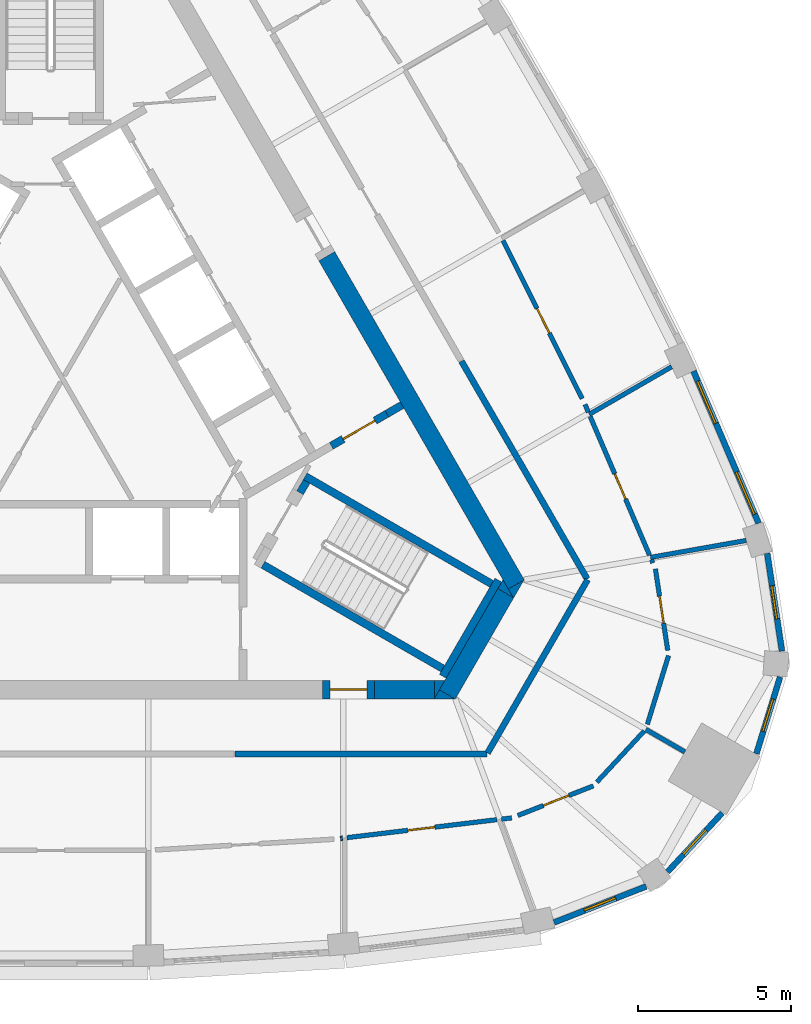
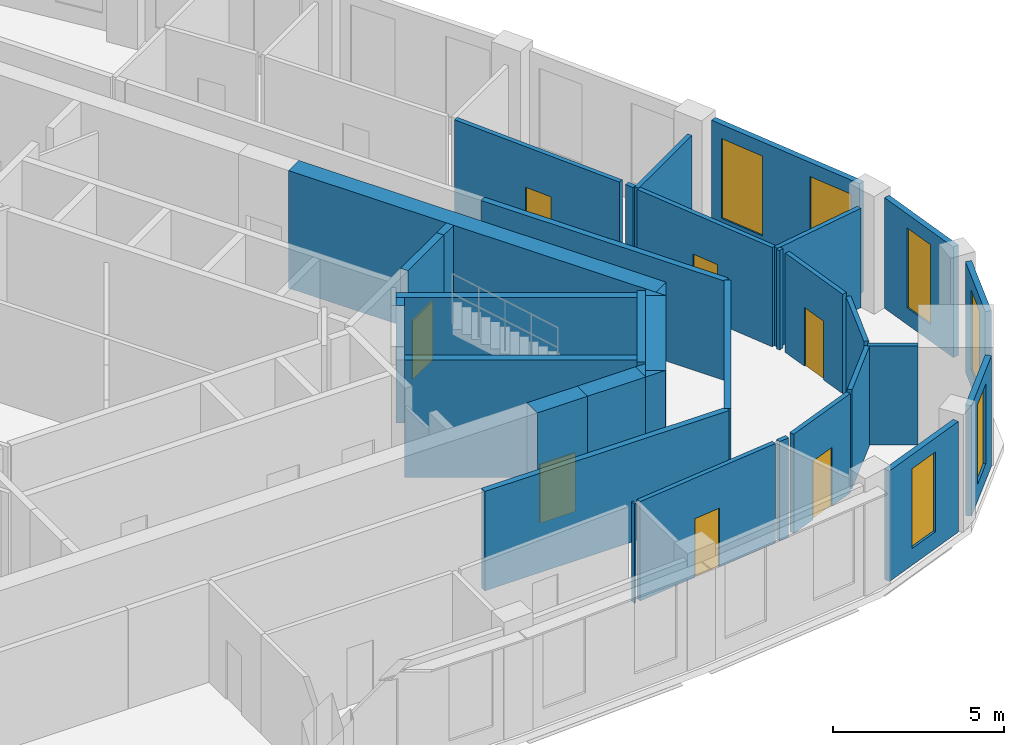
# One storey, part 7 of 10: 36 walls, 7 doors, 6 windows, 13 openings.
"""IFC4 building model written with IfcOpenShell, lengths in metres."""

from ifc_helpers import new_model, si_unit, direction, frame, frame_2d, origin, place, context, subcontext, project, spatial, polyline, rectangle, outline, extrude, material, layer, layer_set, type_object, element, fill, save


model = new_model("IFC4")

# Units and contexts
model_context = context("Model", 3, precision=1e-05, world=origin(), true_north=direction((0.0, 1.0)))
body_context = subcontext(model_context, "Body", "Model", "MODEL_VIEW")
ifc_project = project(units=[si_unit("LENGTHUNIT", "METRE"), si_unit("AREAUNIT", "SQUARE_METRE"), si_unit("VOLUMEUNIT", "CUBIC_METRE"), si_unit("PLANEANGLEUNIT", "RADIAN"), si_unit("MASSUNIT", "GRAM", prefix="KILO")], contexts=[model_context])

# Site, building, storey
site_placement = place(None, origin())
site = spatial("IfcSite", under=ifc_project, at=site_placement, CompositionType="ELEMENT")
building_placement = place(site_placement, origin())
building = spatial("IfcBuilding", under=site, at=building_placement, Name="Mestral Congress Tower", CompositionType="ELEMENT")
storey_placement = place(building_placement, frame((0.0, 0.0, 271.199951171875)))
storey = spatial("IfcBuildingStorey", under=building, at=storey_placement, Name="L63", CompositionType="ELEMENT", Elevation=271.199951171875)

# Walls
ifc_material_1 = material(Name="Concrete C60/75", Category="concrete")
ifc_layer_1 = layer(ifc_material_1, 0.60009765625)
ifc_layer_set_1 = layer_set([ifc_layer_1], Name="Concrete C60/75")
wall_type_1 = type_object("IfcWallType", Name="Core wall RC 600", PredefinedType="SOLIDWALL", material=ifc_layer_set_1)
wall_1_placement = place(storey_placement, frame((9.0419921875, 4.23876953125, 0.0), z_axis=(0.0, 0.0, 1.0), x_axis=(0.500005785455, -0.866022063525, 0.0)))
element("IfcWall", 1, at=wall_1_placement, inside=storey, type_object=wall_type_1, Name="L63 core wall", PredefinedType="SOLIDWALL", context=body_context, shape_type="SweptSolid", body=[
    extrude(rectangle(XDim=12.406494140625, YDim=0.60009765625, at=frame_2d((6.203125, 0.0))), origin(), (0.0, 0.0, 1.0), 4.199951171875),
])
placement = place(storey_placement, origin())
element("IfcWall", 2, at=placement, inside=storey, type_object=wall_type_1, Name="L63 core wall", PredefinedType="SOLIDWALL", context=body_context, shape_type="SweptSolid", body=[
    extrude(outline(polyline([(15.155517578125, -6.949951171875), (14.986572265625, -6.6572265625), (15.493408203125, -6.364501953125), (15.155517578125, -6.949951171875)])), origin(), (0.0, 0.0, 1.0), 4.199951171875),
])
wall_3_placement = place(storey_placement, frame((12.9873046875, -10.105712890625, 0.0), z_axis=(0.0, 0.0, 1.0), x_axis=(0.499950938802, 0.866053727428, 0.0)))
element("IfcWall", 3, at=wall_3_placement, inside=storey, type_object=wall_type_1, Name="L63 core wall", PredefinedType="SOLIDWALL", context=body_context, shape_type="SweptSolid", body=[
    extrude(rectangle(XDim=3.8232421875, YDim=0.60009765625, at=frame_2d((1.91162109375, 0.0))), origin(), (0.0, 0.0, 1.0), 4.199951171875),
])
element("IfcWall", 4, at=placement, inside=storey, type_object=wall_type_1, Name="L63 core wall", PredefinedType="SOLIDWALL", context=body_context, shape_type="SweptSolid", body=[
    extrude(outline(polyline([(12.726318359375, -9.957275390625), (13.2333984375, -10.25), (12.557373046875, -10.25), (12.726318359375, -9.957275390625)])), origin(), (0.0, 0.0, 1.0), 4.199951171875),
])
element("IfcWall", 5, at=placement, inside=storey, type_object=wall_type_1, Name="L63 core wall", PredefinedType="SOLIDWALL", context=body_context, shape_type="SweptSolid", body=[
    extrude(outline(polyline([(14.80908203125, -6.35009765625), (15.147216796875, -6.935791015625), (14.639892578125, -6.642822265625), (14.80908203125, -6.35009765625)])), origin(), (0.0, 0.0, 1.0), 4.199951171875),
])
wall_6_placement = place(storey_placement, frame((10.6044921875, -9.949951171875, 0.0), z_axis=(0.0, 0.0, 1.0), x_axis=(1.0, 0.0, 0.0)))
element("IfcWall", 6, at=wall_6_placement, inside=storey, type_object=wall_type_1, Name="L63 core wall", PredefinedType="SOLIDWALL", context=body_context, shape_type="SweptSolid", body=[
    extrude(rectangle(XDim=1.959228515625, YDim=0.60009765625, at=frame_2d((0.9794921875, 0.0))), origin(), (0.0, 0.0, 1.0), 4.199951171875),
])
element("IfcWall", 7, at=placement, inside=storey, type_object=wall_type_1, Name="L63 core wall", PredefinedType="SOLIDWALL", context=body_context, shape_type="SweptSolid", body=[
    extrude(outline(polyline([(12.90380859375, -9.64990234375), (12.56591796875, -10.235595703125), (12.56591796875, -9.64990234375), (12.90380859375, -9.64990234375)])), origin(), (0.0, 0.0, 1.0), 4.199951171875),
])

# Wall, opening, door
wall_8_placement = place(storey_placement, frame((10.6044921875, -9.949951171875, 0.0), z_axis=(0.0, 0.0, 1.0), x_axis=(-1.0, 0.0, 0.0)))
wall_8 = element("IfcWall", 8, at=wall_8_placement, inside=storey, type_object=wall_type_1, Name="L63 door wall", PredefinedType="SOLIDWALL", context=body_context, shape_type="SweptSolid", body=[
    extrude(rectangle(XDim=1.699951171875, YDim=0.60009765625, at=frame_2d((0.85009765625, 0.0))), origin(), (0.0, 0.0, 1.0), 4.199951171875),
])
opening_1_placement = place(wall_8_placement, frame((0.25, 0.0, 0.0)))
opening_1 = element("IfcOpeningElement", 9, at=opening_1_placement, cuts=wall_8, Name="Opening XD1", PredefinedType="OPENING", context=body_context, shape_type="SweptSolid", body=[
    extrude(rectangle(XDim=1.199951171875, YDim=2.10009765625, at=frame_2d((0.60009765625, 1.050048828125))), frame((0.0, 0.31005859375, 0.0), z_axis=(0.0, -1.0, 0.0), x_axis=(1.0, 0.0, 0.0)), (0.0, 0.0, 1.0), 0.6201171875),
])
ifc_material_2 = material(Name="Fire-rated steel door set", Category="steel")
door_type_1 = type_object("IfcDoorType", Name="Core door XD 1200x2100", OperationType="SINGLE_SWING_LEFT", PredefinedType="DOOR", material=ifc_material_2)
door_1_placement = place(opening_1_placement, origin())
door_1 = element("IfcDoor", 10, at=door_1_placement, inside=storey, type_object=door_type_1, Name="Door XD1", OperationType="SINGLE_SWING_LEFT", OverallHeight=2.10009765625, OverallWidth=1.199951171875, PredefinedType="DOOR", context=body_context, shape_type="SweptSolid", body=[
    extrude(rectangle(XDim=1.199951171875, YDim=2.10009765625, at=frame_2d((0.60009765625, 1.050048828125))), frame((0.0, 0.02490234375, 0.0), z_axis=(0.0, -1.0, 0.0), x_axis=(1.0, 0.0, 0.0)), (0.0, 0.0, 1.0), 0.050048828125),
])
fill(opening_1, door_1)

# Wall, opening, window
ifc_material_3 = material(Name="Precast concrete C40/50 with limestone facing", Category="masonry")
ifc_layer_2 = layer(ifc_material_3, 0.18994140625)
ifc_layer_set_2 = layer_set([ifc_layer_2], Name="Precast concrete C40/50 with limestone facing")
wall_type_2 = type_object("IfcWallType", Name="Facade stone wall 190", PredefinedType="SOLIDWALL", material=ifc_layer_set_2)
wall_9_placement = place(storey_placement, frame((16.48291015625, -17.572998046875, 0.0), z_axis=(0.0, 0.0, 1.0), x_axis=(0.93100888477, 0.364996515709, 0.0)))
wall_9 = element("IfcWall", 11, at=wall_9_placement, inside=storey, type_object=wall_type_2, Name="Facade wall K0-0", PredefinedType="SOLIDWALL", context=body_context, shape_type="SweptSolid", body=[
    extrude(rectangle(XDim=3.23681640625, YDim=0.18994140625, at=frame_2d((1.618408203125, 0.0))), origin(), (0.0, 0.0, 1.0), 3.949951171875),
])
opening_2_placement = place(wall_9_placement, frame((1.068359375, 0.0, 0.60009765625)))
opening_2 = element("IfcOpeningElement", 12, at=opening_2_placement, cuts=wall_9, Name="Opening W7", PredefinedType="OPENING", context=body_context, shape_type="SweptSolid", body=[
    extrude(rectangle(XDim=1.10009765625, YDim=2.85009765625, at=frame_2d((0.550048828125, 1.425048828125))), frame((0.0, 0.10498046875, 0.0), z_axis=(0.0, -1.0, 0.0), x_axis=(1.0, 0.0, 0.0)), (0.0, 0.0, 1.0), 0.2099609375),
])
ifc_material_4 = material(Name="Clear low-emissivity double glazing", Category="glass")
window_type_1 = type_object("IfcWindowType", Name="Facade punched window 1100 x 2850 sill 600", PartitioningType="SINGLE_PANEL", PredefinedType="WINDOW", material=ifc_material_4)
window_1_placement = place(opening_2_placement, origin())
window_1 = element("IfcWindow", 13, at=window_1_placement, inside=storey, type_object=window_type_1, Name="Window K0-0", OverallHeight=2.85009765625, OverallWidth=1.10009765625, PartitioningType="SINGLE_PANEL", PredefinedType="WINDOW", context=body_context, shape_type="SweptSolid", body=[
    extrude(rectangle(XDim=1.10009765625, YDim=2.85009765625, at=frame_2d((0.550048828125, 1.425048828125))), frame((0.0, 0.044921875, 0.0), z_axis=(0.0, -1.0, 0.0), x_axis=(1.0, 0.0, 0.0)), (0.0, 0.0, 1.0), 0.06005859375),
])
fill(opening_2, window_1)

wall_10_placement = place(storey_placement, frame((20.197998046875, -15.91357421875, 0.0), z_axis=(0.0, 0.0, 1.0), x_axis=(0.680219354823, 0.733008614768, 0.0)))
wall_10 = element("IfcWall", 14, at=wall_10_placement, inside=storey, type_object=wall_type_2, Name="Facade wall K0-1", PredefinedType="SOLIDWALL", context=body_context, shape_type="SweptSolid", body=[
    extrude(rectangle(XDim=2.626953125, YDim=0.18994140625, at=frame_2d((1.3134765625, 0.0))), origin(), (0.0, 0.0, 1.0), 3.949951171875),
])
opening_3_placement = place(wall_10_placement, frame((0.763427734375, 0.0, 0.60009765625)))
opening_3 = element("IfcOpeningElement", 15, at=opening_3_placement, cuts=wall_10, Name="Opening W7", PredefinedType="OPENING", context=body_context, shape_type="SweptSolid", body=[
    extrude(rectangle(XDim=1.10009765625, YDim=2.85009765625, at=frame_2d((0.550048828125, 1.425048828125))), frame((0.0, 0.10498046875, 0.0), z_axis=(0.0, -1.0, 0.0), x_axis=(1.0, 0.0, 0.0)), (0.0, 0.0, 1.0), 0.2099609375),
])
window_2_placement = place(opening_3_placement, origin())
window_2 = element("IfcWindow", 16, at=window_2_placement, inside=storey, type_object=window_type_1, Name="Window K0-1", OverallHeight=2.85009765625, OverallWidth=1.10009765625, PartitioningType="SINGLE_PANEL", PredefinedType="WINDOW", context=body_context, shape_type="SweptSolid", body=[
    extrude(rectangle(XDim=1.10009765625, YDim=2.85009765625, at=frame_2d((0.550048828125, 1.425048828125))), frame((0.0, 0.044921875, 0.0), z_axis=(0.0, -1.0, 0.0), x_axis=(1.0, 0.0, 0.0)), (0.0, 0.0, 1.0), 0.06005859375),
])
fill(opening_3, window_2)

wall_11_placement = place(storey_placement, frame((23.1064453125, -12.04541015625, 0.0), z_axis=(0.0, 0.0, 1.0), x_axis=(0.294706210429, 0.9555879078, 0.0)))
wall_11 = element("IfcWall", 17, at=wall_11_placement, inside=storey, type_object=wall_type_2, Name="Facade wall K0-2", PredefinedType="SOLIDWALL", context=body_context, shape_type="SweptSolid", body=[
    extrude(rectangle(XDim=2.626953125, YDim=0.18994140625, at=frame_2d((1.3134765625, 0.0))), origin(), (0.0, 0.0, 1.0), 3.949951171875),
])
opening_4_placement = place(wall_11_placement, frame((0.763427734375, 0.0, 0.60009765625)))
opening_4 = element("IfcOpeningElement", 18, at=opening_4_placement, cuts=wall_11, Name="Opening W7", PredefinedType="OPENING", context=body_context, shape_type="SweptSolid", body=[
    extrude(rectangle(XDim=1.10009765625, YDim=2.85009765625, at=frame_2d((0.550048828125, 1.425048828125))), frame((0.0, 0.10498046875, 0.0), z_axis=(0.0, -1.0, 0.0), x_axis=(1.0, 0.0, 0.0)), (0.0, 0.0, 1.0), 0.2099609375),
])
window_3_placement = place(opening_4_placement, origin())
window_3 = element("IfcWindow", 19, at=window_3_placement, inside=storey, type_object=window_type_1, Name="Window K0-2", OverallHeight=2.85009765625, OverallWidth=1.10009765625, PartitioningType="SINGLE_PANEL", PredefinedType="WINDOW", context=body_context, shape_type="SweptSolid", body=[
    extrude(rectangle(XDim=1.10009765625, YDim=2.85009765625, at=frame_2d((0.550048828125, 1.425048828125))), frame((0.0, 0.044921875, 0.0), z_axis=(0.0, -1.0, 0.0), x_axis=(1.0, 0.0, 0.0)), (0.0, 0.0, 1.0), 0.06005859375),
])
fill(opening_4, window_3)

wall_12_placement = place(storey_placement, frame((23.94384765625, -8.6884765625, 0.0), z_axis=(0.0, 0.0, 1.0), x_axis=(-0.149421055602, 0.988773658702, 0.0)))
wall_12 = element("IfcWall", 20, at=wall_12_placement, inside=storey, type_object=wall_type_2, Name="Facade wall K0-3", PredefinedType="SOLIDWALL", context=body_context, shape_type="SweptSolid", body=[
    extrude(rectangle(XDim=3.23681640625, YDim=0.18994140625, at=frame_2d((1.618408203125, 0.0))), origin(), (0.0, 0.0, 1.0), 3.949951171875),
])
opening_5_placement = place(wall_12_placement, frame((1.068359375, 0.0, 0.60009765625)))
opening_5 = element("IfcOpeningElement", 21, at=opening_5_placement, cuts=wall_12, Name="Opening W7", PredefinedType="OPENING", context=body_context, shape_type="SweptSolid", body=[
    extrude(rectangle(XDim=1.10009765625, YDim=2.85009765625, at=frame_2d((0.550048828125, 1.425048828125))), frame((0.0, 0.10498046875, 0.0), z_axis=(0.0, -1.0, 0.0), x_axis=(1.0, 0.0, 0.0)), (0.0, 0.0, 1.0), 0.2099609375),
])
window_4_placement = place(opening_5_placement, origin())
window_4 = element("IfcWindow", 22, at=window_4_placement, inside=storey, type_object=window_type_1, Name="Window K0-3", OverallHeight=2.85009765625, OverallWidth=1.10009765625, PartitioningType="SINGLE_PANEL", PredefinedType="WINDOW", context=body_context, shape_type="SweptSolid", body=[
    extrude(rectangle(XDim=1.10009765625, YDim=2.85009765625, at=frame_2d((0.550048828125, 1.425048828125))), frame((0.0, 0.044921875, 0.0), z_axis=(0.0, -1.0, 0.0), x_axis=(1.0, 0.0, 0.0)), (0.0, 0.0, 1.0), 0.06005859375),
])
fill(opening_5, window_4)

# Wall, openings, windows
wall_13_placement = place(storey_placement, frame((23.1787109375, -4.50048828125, 0.0), z_axis=(0.0, 0.0, 1.0), x_axis=(-0.393347848476, 0.919389726992, 0.0)))
wall_13 = element("IfcWall", 23, at=wall_13_placement, inside=storey, type_object=wall_type_2, Name="Facade wall F1-00", PredefinedType="SOLIDWALL", context=body_context, shape_type="SweptSolid", body=[
    extrude(rectangle(XDim=5.414794921875, YDim=0.18994140625, at=frame_2d((2.70751953125, 0.0))), origin(), (0.0, 0.0, 1.0), 3.949951171875),
])
opening_6_placement = place(wall_13_placement, frame((0.322509765625, 0.0, 0.60009765625)))
opening_6 = element("IfcOpeningElement", 24, at=opening_6_placement, cuts=wall_13, Name="Opening W6", PredefinedType="OPENING", context=body_context, shape_type="SweptSolid", body=[
    extrude(rectangle(XDim=1.5, YDim=2.85009765625, at=frame_2d((0.75, 1.425048828125))), frame((0.0, 0.10498046875, 0.0), z_axis=(0.0, -1.0, 0.0), x_axis=(1.0, 0.0, 0.0)), (0.0, 0.0, 1.0), 0.2099609375),
])
opening_7_placement = place(wall_13_placement, frame((3.5576171875, 0.0, 0.60009765625)))
opening_7 = element("IfcOpeningElement", 25, at=opening_7_placement, cuts=wall_13, Name="Opening W6", PredefinedType="OPENING", context=body_context, shape_type="SweptSolid", body=[
    extrude(rectangle(XDim=1.5, YDim=2.85009765625, at=frame_2d((0.75, 1.425048828125))), frame((0.0, 0.10498046875, 0.0), z_axis=(0.0, -1.0, 0.0), x_axis=(1.0, 0.0, 0.0)), (0.0, 0.0, 1.0), 0.2099609375),
])
window_type_2 = type_object("IfcWindowType", Name="Facade punched window 1500 x 2850 sill 600", PartitioningType="SINGLE_PANEL", PredefinedType="WINDOW", material=ifc_material_4)
window_5_placement = place(opening_6_placement, origin())
window_5 = element("IfcWindow", 26, at=window_5_placement, inside=storey, type_object=window_type_2, Name="Window F1-00a", OverallHeight=2.85009765625, OverallWidth=1.5, PartitioningType="SINGLE_PANEL", PredefinedType="WINDOW", context=body_context, shape_type="SweptSolid", body=[
    extrude(rectangle(XDim=1.5, YDim=2.85009765625, at=frame_2d((0.75, 1.425048828125))), frame((0.0, 0.044921875, 0.0), z_axis=(0.0, -1.0, 0.0), x_axis=(1.0, 0.0, 0.0)), (0.0, 0.0, 1.0), 0.06005859375),
])
fill(opening_6, window_5)
window_6_placement = place(opening_7_placement, origin())
window_6 = element("IfcWindow", 27, at=window_6_placement, inside=storey, type_object=window_type_2, Name="Window F1-00b", OverallHeight=2.85009765625, OverallWidth=1.5, PartitioningType="SINGLE_PANEL", PredefinedType="WINDOW", context=body_context, shape_type="SweptSolid", body=[
    extrude(rectangle(XDim=1.5, YDim=2.85009765625, at=frame_2d((0.75, 1.425048828125))), frame((0.0, 0.044921875, 0.0), z_axis=(0.0, -1.0, 0.0), x_axis=(1.0, 0.0, 0.0)), (0.0, 0.0, 1.0), 0.06005859375),
])
fill(opening_7, window_6)

# Wall
ifc_material_5 = material(Name="Plasterboard partition on steel studs", Category="steel")
ifc_layer_3 = layer(ifc_material_5, 0.14990234375)
ifc_layer_set_3 = layer_set([ifc_layer_3], Name="Plasterboard partition on steel studs")
wall_type_3 = type_object("IfcWallType", Name="Office partition 150", PredefinedType="PARTITIONING", material=ifc_layer_set_3)
wall_14_placement = place(storey_placement, frame((9.492431640625, -14.8203125, 0.0), z_axis=(0.0, 0.0, 1.0), x_axis=(0.993123019804, 0.117075477944, 0.0)))
element("IfcWall", 28, at=wall_14_placement, inside=storey, type_object=wall_type_3, Name="Partition", PredefinedType="PARTITIONING", context=body_context, shape_type="SweptSolid", body=[
    extrude(rectangle(XDim=0.060546875, YDim=0.14990234375, at=frame_2d((0.0302734375, 0.0))), origin(), (0.0, 0.0, 1.0), 3.550048828125),
])

# Wall, opening, door
wall_15_placement = place(storey_placement, frame((14.609619140625, -14.206787109375, 0.0), z_axis=(0.0, 0.0, 1.0), x_axis=(-0.992888520801, -0.119047827618, 0.0)))
wall_15 = element("IfcWall", 29, at=wall_15_placement, inside=storey, type_object=wall_type_3, Name="Partition", PredefinedType="PARTITIONING", context=body_context, shape_type="SweptSolid", body=[
    extrude(rectangle(XDim=4.9423828125, YDim=0.14990234375, at=frame_2d((2.47119140625, 0.0))), origin(), (0.0, 0.0, 1.0), 3.550048828125),
])
opening_8_placement = place(wall_15_placement, frame((2.042236328125, 0.0, 0.0)))
opening_8 = element("IfcOpeningElement", 30, at=opening_8_placement, cuts=wall_15, Name="Opening O11-004", PredefinedType="OPENING", context=body_context, shape_type="SweptSolid", body=[
    extrude(rectangle(XDim=0.89990234375, YDim=2.10009765625, at=frame_2d((0.449951171875, 1.050048828125))), frame((0.0, 0.0849609375, 0.0), z_axis=(0.0, -1.0, 0.0), x_axis=(1.0, 0.0, 0.0)), (0.0, 0.0, 1.0), 0.169921875),
])
ifc_material_6 = material(Name="Timber door set", Category="wood")
door_type_2 = type_object("IfcDoorType", Name="Office door 900x2100", OperationType="SINGLE_SWING_LEFT", PredefinedType="DOOR", material=ifc_material_6)
door_2_placement = place(opening_8_placement, origin())
door_2 = element("IfcDoor", 31, at=door_2_placement, inside=storey, type_object=door_type_2, Name="Door O11-004", OperationType="SINGLE_SWING_RIGHT", OverallHeight=2.10009765625, OverallWidth=0.89990234375, PredefinedType="DOOR", context=body_context, shape_type="SweptSolid", body=[
    extrude(rectangle(XDim=0.89990234375, YDim=2.10009765625, at=frame_2d((0.449951171875, 1.050048828125))), frame((0.0, 0.02490234375, 0.0), z_axis=(0.0, -1.0, 0.0), x_axis=(1.0, 0.0, 0.0)), (0.0, 0.0, 1.0), 0.050048828125),
])
fill(opening_8, door_2)

# Walls
wall_16_placement = place(storey_placement, frame((19.485107421875, -11.249755859375, 0.0), z_axis=(0.0, 0.0, 1.0), x_axis=(0.866039857565, -0.499974964482, 0.0)))
element("IfcWall", 32, at=wall_16_placement, inside=storey, type_object=wall_type_3, Name="Partition", PredefinedType="PARTITIONING", context=body_context, shape_type="SweptSolid", body=[
    extrude(rectangle(XDim=1.478515625, YDim=0.14990234375, at=frame_2d((0.7392578125, 0.0))), origin(), (0.0, 0.0, 1.0), 3.550048828125),
])
wall_17_placement = place(storey_placement, frame((14.762451171875, -14.1884765625, 0.0), z_axis=(0.0, 0.0, 1.0), x_axis=(0.992894100983, 0.11900127828, 0.0)))
element("IfcWall", 33, at=wall_17_placement, inside=storey, type_object=wall_type_3, Name="Partition", PredefinedType="PARTITIONING", context=body_context, shape_type="SweptSolid", body=[
    extrude(rectangle(XDim=0.33447265625, YDim=0.14990234375, at=frame_2d((0.167236328125, 0.0))), origin(), (0.0, 0.0, 1.0), 3.550048828125),
])

# Wall, opening, door
wall_18_placement = place(storey_placement, frame((17.767333984375, -13.1005859375, 0.0), z_axis=(0.0, 0.0, 1.0), x_axis=(-0.930971361221, -0.365092213812, 0.0)))
wall_18 = element("IfcWall", 34, at=wall_18_placement, inside=storey, type_object=wall_type_3, Name="Partition", PredefinedType="PARTITIONING", context=body_context, shape_type="SweptSolid", body=[
    extrude(rectangle(XDim=2.65673828125, YDim=0.14990234375, at=frame_2d((1.328369140625, 0.0))), origin(), (0.0, 0.0, 1.0), 3.550048828125),
])
opening_9_placement = place(wall_18_placement, frame((0.856689453125, 0.0, 0.0)))
opening_9 = element("IfcOpeningElement", 35, at=opening_9_placement, cuts=wall_18, Name="Opening O11-005", PredefinedType="OPENING", context=body_context, shape_type="SweptSolid", body=[
    extrude(rectangle(XDim=0.89990234375, YDim=2.10009765625, at=frame_2d((0.449951171875, 1.050048828125))), frame((0.0, 0.0849609375, 0.0), z_axis=(0.0, -1.0, 0.0), x_axis=(1.0, 0.0, 0.0)), (0.0, 0.0, 1.0), 0.169921875),
])
door_3_placement = place(opening_9_placement, origin())
door_3 = element("IfcDoor", 36, at=door_3_placement, inside=storey, type_object=door_type_2, Name="Door O11-005", OperationType="SINGLE_SWING_LEFT", OverallHeight=2.10009765625, OverallWidth=0.89990234375, PredefinedType="DOOR", context=body_context, shape_type="SweptSolid", body=[
    extrude(rectangle(XDim=0.89990234375, YDim=2.10009765625, at=frame_2d((0.449951171875, 1.050048828125))), frame((0.0, 0.02490234375, 0.0), z_axis=(0.0, -1.0, 0.0), x_axis=(1.0, 0.0, 0.0)), (0.0, 0.0, 1.0), 0.050048828125),
])
fill(opening_9, door_3)

# Walls
wall_19_placement = place(storey_placement, frame((17.885009765625, -12.97412109375, 0.0), z_axis=(0.0, 0.0, 1.0), x_axis=(0.680220611996, 0.733007448132, 0.0)))
element("IfcWall", 37, at=wall_19_placement, inside=storey, type_object=wall_type_3, Name="Partition", PredefinedType="PARTITIONING", context=body_context, shape_type="SweptSolid", body=[
    extrude(rectangle(XDim=2.275634765625, YDim=0.14990234375, at=frame_2d((1.1376953125, 0.0))), origin(), (0.0, 0.0, 1.0), 3.550048828125),
])
wall_20_placement = place(storey_placement, frame((19.638671875, -5.61962890625, 0.0), z_axis=(0.0, 0.0, 1.0), x_axis=(0.984765028635, 0.173890305586, 0.0)))
element("IfcWall", 38, at=wall_20_placement, inside=storey, type_object=wall_type_3, Name="Partition", PredefinedType="PARTITIONING", context=body_context, shape_type="SweptSolid", body=[
    extrude(rectangle(XDim=3.184326171875, YDim=0.14990234375, at=frame_2d((1.59228515625, 0.0))), origin(), (0.0, 0.0, 1.0), 3.550048828125),
])
wall_21_placement = place(storey_placement, frame((19.5361328125, -11.084716796875, 0.0), z_axis=(0.0, 0.0, 1.0), x_axis=(0.294632751805, 0.955610559571, 0.0)))
element("IfcWall", 39, at=wall_21_placement, inside=storey, type_object=wall_type_3, Name="Partition", PredefinedType="PARTITIONING", context=body_context, shape_type="SweptSolid", body=[
    extrude(rectangle(XDim=2.3525390625, YDim=0.14990234375, at=frame_2d((1.17626953125, 0.0))), origin(), (0.0, 0.0, 1.0), 3.550048828125),
])

# Wall, opening, door
wall_22_placement = place(storey_placement, frame((19.80029296875, -5.997802734375, 0.0), z_axis=(0.0, 0.0, 1.0), x_axis=(0.149384554916, -0.988779173907, 0.0)))
wall_22 = element("IfcWall", 40, at=wall_22_placement, inside=storey, type_object=wall_type_3, Name="Partition", PredefinedType="PARTITIONING", context=body_context, shape_type="SweptSolid", body=[
    extrude(rectangle(XDim=2.6982421875, YDim=0.14990234375, at=frame_2d((1.34912109375, 0.0))), origin(), (0.0, 0.0, 1.0), 3.550048828125),
])
opening_10_placement = place(wall_22_placement, frame((0.898193359375, 0.0, 0.0)))
opening_10 = element("IfcOpeningElement", 41, at=opening_10_placement, cuts=wall_22, Name="Opening O11-006", PredefinedType="OPENING", context=body_context, shape_type="SweptSolid", body=[
    extrude(rectangle(XDim=0.89990234375, YDim=2.10009765625, at=frame_2d((0.449951171875, 1.050048828125))), frame((0.0, 0.0849609375, 0.0), z_axis=(0.0, -1.0, 0.0), x_axis=(1.0, 0.0, 0.0)), (0.0, 0.0, 1.0), 0.169921875),
])
door_4_placement = place(opening_10_placement, origin())
door_4 = element("IfcDoor", 42, at=door_4_placement, inside=storey, type_object=door_type_2, Name="Door O11-006", OperationType="SINGLE_SWING_LEFT", OverallHeight=2.10009765625, OverallWidth=0.89990234375, PredefinedType="DOOR", context=body_context, shape_type="SweptSolid", body=[
    extrude(rectangle(XDim=0.89990234375, YDim=2.10009765625, at=frame_2d((0.449951171875, 1.050048828125))), frame((0.0, 0.02490234375, 0.0), z_axis=(0.0, -1.0, 0.0), x_axis=(1.0, 0.0, 0.0)), (0.0, 0.0, 1.0), 0.050048828125),
])
fill(opening_10, door_4)

# Walls
wall_23_placement = place(storey_placement, frame((19.716064453125, -5.80078125, 0.0), z_axis=(0.0, 0.0, 1.0), x_axis=(-0.394409976498, 0.918934584418, 0.0)))
element("IfcWall", 43, at=wall_23_placement, inside=storey, type_object=wall_type_3, Name="Partition", PredefinedType="PARTITIONING", context=body_context, shape_type="SweptSolid", body=[
    extrude(rectangle(XDim=0.1201171875, YDim=0.14990234375, at=frame_2d((0.06005859375, 0.0))), origin(), (0.0, 0.0, 1.0), 3.550048828125),
])
wall_24_placement = place(storey_placement, frame((17.634521484375, -0.935546875, 0.0), z_axis=(0.0, 0.0, 1.0), x_axis=(0.866044607523, 0.499966736674, 0.0)))
element("IfcWall", 44, at=wall_24_placement, inside=storey, type_object=wall_type_3, Name="Partition", PredefinedType="PARTITIONING", context=body_context, shape_type="SweptSolid", body=[
    extrude(rectangle(XDim=3.114501953125, YDim=0.14990234375, at=frame_2d((1.55712890625, 0.0))), origin(), (0.0, 0.0, 1.0), 3.550048828125),
])

# Wall, opening, door
wall_25_placement = place(storey_placement, frame((17.664306640625, -1.0048828125, 0.0), z_axis=(0.0, 0.0, 1.0), x_axis=(0.393352855097, -0.919387584964, 0.0)))
wall_25 = element("IfcWall", 45, at=wall_25_placement, inside=storey, type_object=wall_type_3, Name="Partition", PredefinedType="PARTITIONING", context=body_context, shape_type="SweptSolid", body=[
    extrude(rectangle(XDim=4.9423828125, YDim=0.14990234375, at=frame_2d((2.47119140625, 0.0))), origin(), (0.0, 0.0, 1.0), 3.550048828125),
])
opening_11_placement = place(wall_25_placement, frame((2.042236328125, 0.0, 0.0)))
opening_11 = element("IfcOpeningElement", 46, at=opening_11_placement, cuts=wall_25, Name="Opening O11-007", PredefinedType="OPENING", context=body_context, shape_type="SweptSolid", body=[
    extrude(rectangle(XDim=0.89990234375, YDim=2.10009765625, at=frame_2d((0.449951171875, 1.050048828125))), frame((0.0, 0.0849609375, 0.0), z_axis=(0.0, -1.0, 0.0), x_axis=(1.0, 0.0, 0.0)), (0.0, 0.0, 1.0), 0.169921875),
])
door_5_placement = place(opening_11_placement, origin())
door_5 = element("IfcDoor", 47, at=door_5_placement, inside=storey, type_object=door_type_2, Name="Door O11-007", OperationType="SINGLE_SWING_RIGHT", OverallHeight=2.10009765625, OverallWidth=0.89990234375, PredefinedType="DOOR", context=body_context, shape_type="SweptSolid", body=[
    extrude(rectangle(XDim=0.89990234375, YDim=2.10009765625, at=frame_2d((0.449951171875, 1.050048828125))), frame((0.0, 0.02490234375, 0.0), z_axis=(0.0, -1.0, 0.0), x_axis=(1.0, 0.0, 0.0)), (0.0, 0.0, 1.0), 0.050048828125),
])
fill(opening_11, door_5)

# Wall
wall_26_placement = place(storey_placement, frame((17.604736328125, -0.8662109375, 0.0), z_axis=(0.0, 0.0, 1.0), x_axis=(-0.393169369927, 0.919466066014, 0.0)))
element("IfcWall", 48, at=wall_26_placement, inside=storey, type_object=wall_type_3, Name="Partition", PredefinedType="PARTITIONING", context=body_context, shape_type="SweptSolid", body=[
    extrude(rectangle(XDim=0.275146484375, YDim=0.14990234375, at=frame_2d((0.1376953125, 0.0))), origin(), (0.0, 0.0, 1.0), 3.550048828125),
])

# Wall, opening, door
wall_27_placement = place(storey_placement, frame((14.810791015625, 4.75439453125, 0.0), z_axis=(0.0, 0.0, 1.0), x_axis=(0.447483524661, -0.894292175498, 0.0)))
wall_27 = element("IfcWall", 49, at=wall_27_placement, inside=storey, type_object=wall_type_3, Name="Partition", PredefinedType="PARTITIONING", context=body_context, shape_type="SweptSolid", body=[
    extrude(rectangle(XDim=5.7880859375, YDim=0.14990234375, at=frame_2d((2.89404296875, 0.0))), origin(), (0.0, 0.0, 1.0), 3.550048828125),
])
opening_12_placement = place(wall_27_placement, frame((2.488037109375, 0.0, 0.0)))
opening_12 = element("IfcOpeningElement", 50, at=opening_12_placement, cuts=wall_27, Name="Opening O11-008", PredefinedType="OPENING", context=body_context, shape_type="SweptSolid", body=[
    extrude(rectangle(XDim=0.89990234375, YDim=2.10009765625, at=frame_2d((0.449951171875, 1.050048828125))), frame((0.0, 0.0849609375, 0.0), z_axis=(0.0, -1.0, 0.0), x_axis=(1.0, 0.0, 0.0)), (0.0, 0.0, 1.0), 0.169921875),
])
door_6_placement = place(opening_12_placement, origin())
door_6 = element("IfcDoor", 51, at=door_6_placement, inside=storey, type_object=door_type_2, Name="Door O11-008", OperationType="SINGLE_SWING_RIGHT", OverallHeight=2.10009765625, OverallWidth=0.89990234375, PredefinedType="DOOR", context=body_context, shape_type="SweptSolid", body=[
    extrude(rectangle(XDim=0.89990234375, YDim=2.10009765625, at=frame_2d((0.449951171875, 1.050048828125))), frame((0.0, 0.02490234375, 0.0), z_axis=(0.0, -1.0, 0.0), x_axis=(1.0, 0.0, 0.0)), (0.0, 0.0, 1.0), 0.050048828125),
])
fill(opening_12, door_6)

# Walls
ifc_material_7 = material(Name="Dense masonry wall, plastered", Category="masonry")
ifc_layer_4 = layer(ifc_material_7, 0.199951171875)
ifc_layer_set_4 = layer_set([ifc_layer_4], Name="Dense masonry wall, plastered")
wall_type_4 = type_object("IfcWallType", Name="Office tenancy wall 200", PredefinedType="PARTITIONING", material=ifc_layer_set_4)
wall_28_placement = place(storey_placement, frame((6.030029296875, -12.050048828125, 0.0), z_axis=(0.0, 0.0, 1.0), x_axis=(1.0, 0.0, 0.0)))
element("IfcWall", 52, at=wall_28_placement, inside=storey, type_object=wall_type_4, Name="Tenancy wall", PredefinedType="PARTITIONING", context=body_context, shape_type="SweptSolid", body=[
    extrude(rectangle(XDim=8.25927734375, YDim=0.199951171875, at=frame_2d((4.129638671875, 0.0))), origin(), (0.0, 0.0, 1.0), 3.550048828125),
])
wall_29_placement = place(storey_placement, frame((14.304443359375, -12.02392578125, 0.0), z_axis=(0.0, 0.0, 1.0), x_axis=(0.500010613097, 0.866019276224, 0.0)))
element("IfcWall", 53, at=wall_29_placement, inside=storey, type_object=wall_type_4, Name="Tenancy wall", PredefinedType="PARTITIONING", context=body_context, shape_type="SweptSolid", body=[
    extrude(rectangle(XDim=6.551513671875, YDim=0.199951171875, at=frame_2d((3.27587890625, 0.0))), origin(), (0.0, 0.0, 1.0), 3.550048828125),
])
wall_30_placement = place(storey_placement, frame((17.565185546875, -6.323974609375, 0.0), z_axis=(0.0, 0.0, 1.0), x_axis=(-0.499977548053, 0.866038366034, 0.0)))
element("IfcWall", 54, at=wall_30_placement, inside=storey, type_object=wall_type_4, Name="Tenancy wall", PredefinedType="PARTITIONING", context=body_context, shape_type="SweptSolid", body=[
    extrude(rectangle(XDim=8.2294921875, YDim=0.199951171875, at=frame_2d((4.11474609375, 0.0))), origin(), (0.0, 0.0, 1.0), 3.550048828125),
])
ifc_layer_5 = layer(ifc_material_1, 0.25)
ifc_layer_set_5 = layer_set([ifc_layer_5], Name="Concrete C60/75")
wall_type_5 = type_object("IfcWallType", Name="Shaft wall RC 250", PredefinedType="SOLIDWALL", material=ifc_layer_set_5)
wall_31_placement = place(storey_placement, frame((11.507080078125, -0.631103515625, 0.0), z_axis=(0.0, 0.0, 1.0), x_axis=(-0.866093731455, -0.499881634324, 0.0)))
element("IfcWall", 55, at=wall_31_placement, inside=storey, type_object=wall_type_5, Name="L63 core wall", PredefinedType="SOLIDWALL", context=body_context, shape_type="SweptSolid", body=[
    extrude(rectangle(XDim=0.575439453125, YDim=0.25, at=frame_2d((0.28759765625, 0.0))), origin(), (0.0, 0.0, 1.0), 4.199951171875),
])

# Wall, opening, door
wall_32_placement = place(storey_placement, frame((11.0087890625, -0.918701171875, 0.0), z_axis=(0.0, 0.0, 1.0), x_axis=(-0.866059744384, -0.49994051562, 0.0)))
wall_32 = element("IfcWall", 56, at=wall_32_placement, inside=storey, type_object=wall_type_5, Name="L63 door wall", PredefinedType="SOLIDWALL", context=body_context, shape_type="SweptSolid", body=[
    extrude(rectangle(XDim=2.099853515625, YDim=0.25, at=frame_2d((1.0498046875, 0.0))), origin(), (0.0, 0.0, 1.0), 4.199951171875),
])
opening_13_placement = place(wall_32_placement, frame((0.449951171875, 0.0, 0.0)))
opening_13 = element("IfcOpeningElement", 57, at=opening_13_placement, cuts=wall_32, Name="Opening LB1-PX10", PredefinedType="OPENING", context=body_context, shape_type="SweptSolid", body=[
    extrude(rectangle(XDim=1.199951171875, YDim=2.10009765625, at=frame_2d((0.60009765625, 1.050048828125))), frame((0.0, 0.135009765625, 0.0), z_axis=(0.0, -1.0, 0.0), x_axis=(1.0, 0.0, 0.0)), (0.0, 0.0, 1.0), 0.27001953125),
])
door_type_3 = type_object("IfcDoorType", Name="Core door LB 1200x2100", OperationType="SINGLE_SWING_LEFT", PredefinedType="DOOR", material=ifc_material_2)
door_7_placement = place(opening_13_placement, origin())
door_7 = element("IfcDoor", 58, at=door_7_placement, inside=storey, type_object=door_type_3, Name="Door LB1-PX10", OperationType="SINGLE_SWING_LEFT", OverallHeight=2.10009765625, OverallWidth=1.199951171875, PredefinedType="DOOR", context=body_context, shape_type="SweptSolid", body=[
    extrude(rectangle(XDim=1.199951171875, YDim=2.10009765625, at=frame_2d((0.60009765625, 1.050048828125))), frame((0.0, 0.02490234375, 0.0), z_axis=(0.0, -1.0, 0.0), x_axis=(1.0, 0.0, 0.0)), (0.0, 0.0, 1.0), 0.050048828125),
])
fill(opening_13, door_7)

# Walls
ifc_layer_6 = layer(ifc_material_1, 0.25)
ifc_layer_set_6 = layer_set([ifc_layer_6], Name="Concrete C60/75")
wall_type_6 = type_object("IfcWallType", Name="Stair wall RC 250", PredefinedType="SOLIDWALL", material=ifc_layer_set_6)
wall_33_placement = place(storey_placement, frame((12.839599609375, -9.510986328125, 0.0), z_axis=(0.0, 0.0, 1.0), x_axis=(0.500048121057, 0.865997619297, 0.0)))
element("IfcWall", 59, at=wall_33_placement, inside=storey, type_object=wall_type_6, Name="L63 core wall", PredefinedType="SOLIDWALL", context=body_context, shape_type="SweptSolid", body=[
    extrude(rectangle(XDim=3.634033203125, YDim=0.25, at=frame_2d((1.81689453125, 0.0))), origin(), (0.0, 0.0, 1.0), 4.199951171875),
])
wall_34_placement = place(storey_placement, frame((12.83984375, -9.2607421875, 0.0), z_axis=(0.0, 0.0, 1.0), x_axis=(-0.866013990052, 0.500019768644, 0.0)))
element("IfcWall", 60, at=wall_34_placement, inside=storey, type_object=wall_type_6, Name="L63 core wall", PredefinedType="SOLIDWALL", context=body_context, shape_type="SweptSolid", body=[
    extrude(rectangle(XDim=6.800048828125, YDim=0.25, at=frame_2d((3.39990234375, 0.0))), origin(), (0.0, 0.0, 1.0), 4.199951171875),
])
wall_35_placement = place(storey_placement, frame((8.33447265625, -2.96435546875, 0.0), z_axis=(0.0, 0.0, 1.0), x_axis=(0.866016039709, -0.500016218704, 0.0)))
element("IfcWall", 61, at=wall_35_placement, inside=storey, type_object=wall_type_6, Name="L63 core wall", PredefinedType="SOLIDWALL", context=body_context, shape_type="SweptSolid", body=[
    extrude(rectangle(XDim=7.050048828125, YDim=0.25, at=frame_2d((3.52490234375, 0.0))), origin(), (0.0, 0.0, 1.0), 4.199951171875),
])
wall_36_placement = place(storey_placement, frame((8.167724609375, -3.503173828125, 0.0), z_axis=(0.0, 0.0, 1.0), x_axis=(0.49972245349, 0.866185586049, 0.0)))
element("IfcWall", 62, at=wall_36_placement, inside=storey, type_object=wall_type_6, Name="L63 core wall", PredefinedType="SOLIDWALL", context=body_context, shape_type="SweptSolid", body=[
    extrude(rectangle(XDim=0.425048828125, YDim=0.25, at=frame_2d((0.21240234375, 0.0))), origin(), (0.0, 0.0, 1.0), 4.199951171875),
])

save(model, "model.ifc")
